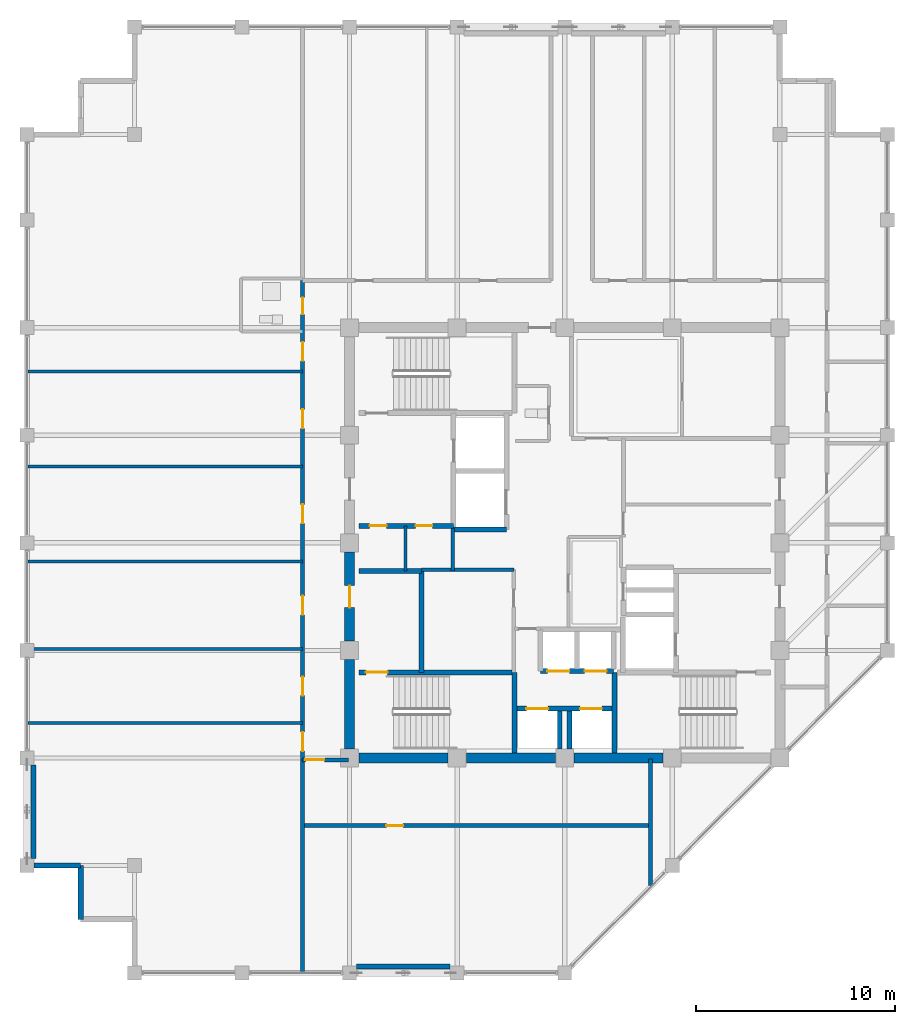
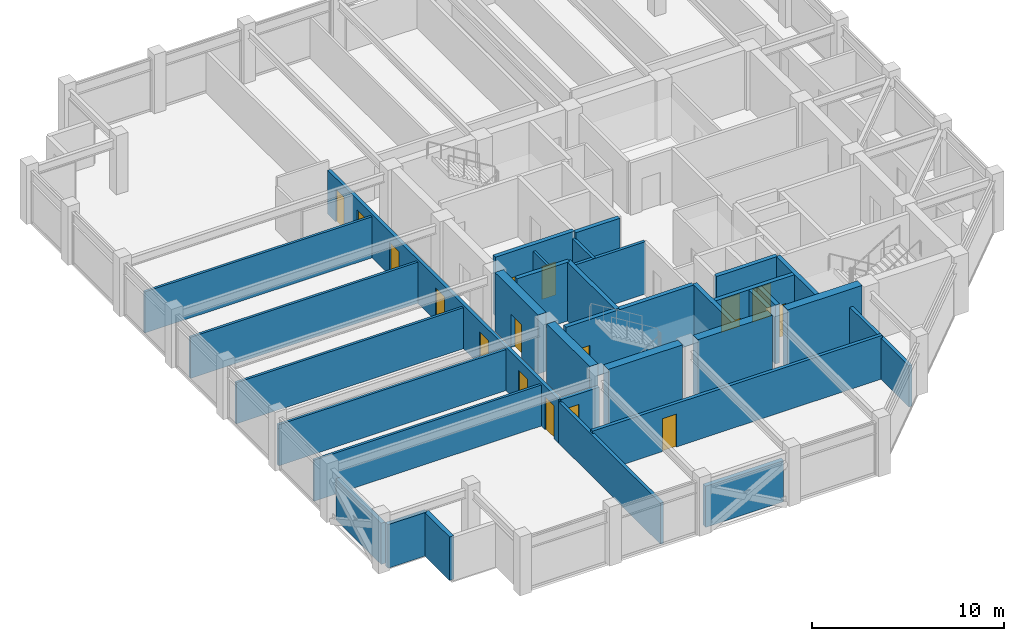
# One storey, part 26 of 31: 33 walls, 17 doors, 17 openings.
"""IFC4 building model written with IfcOpenShell, lengths in metres."""

from ifc_helpers import new_model, si_unit, direction, frame, frame_2d, origin, place, context, subcontext, project, spatial, rectangle, extrude, material, layer, layer_set, type_object, element, fill, save


model = new_model("IFC4")

# Units and contexts
model_context = context("Model", 3, precision=1e-05, world=origin(), true_north=direction((0.0, 1.0)))
body_context = subcontext(model_context, "Body", "Model", "MODEL_VIEW")
ifc_project = project(units=[si_unit("LENGTHUNIT", "METRE"), si_unit("AREAUNIT", "SQUARE_METRE"), si_unit("VOLUMEUNIT", "CUBIC_METRE"), si_unit("PLANEANGLEUNIT", "RADIAN"), si_unit("MASSUNIT", "GRAM", prefix="KILO")], contexts=[model_context])

# Site, building, storey
site_placement = place(None, origin())
site = spatial("IfcSite", under=ifc_project, at=site_placement, CompositionType="ELEMENT")
building_placement = place(site_placement, origin())
building = spatial("IfcBuilding", under=site, at=building_placement, Name="Surkhivell Harbour Commons", CompositionType="ELEMENT")
storey_placement = place(building_placement, frame((0.0, 0.0, 333.75)))
storey = spatial("IfcBuildingStorey", under=building, at=storey_placement, Name="L87", CompositionType="ELEMENT", Elevation=333.75)

# Walls
ifc_material_1 = material(Name="Concrete C50/60", Category="concrete")
ifc_layer_1 = layer(ifc_material_1, 0.5)
ifc_layer_set_1 = layer_set([ifc_layer_1], Name="Concrete C50/60")
wall_type_1 = type_object("IfcWallType", Name="WAL-CORE-500", PredefinedType="SHEAR", material=ifc_layer_set_1)
for number, where, z_axis, x_axis, name in (
    (1, (-10.340087890625, -10.800048828125, 0.0), (0.0, 0.0, 1.0), (1.0, 0.0, 0.0), "L87 Core Shear Wall South 1"),
    (2, (-10.800048828125, -10.340087890625, 0.0), (0.0, 0.0, 1.0), (0.0, 1.0, 0.0), "L87 Core Shear Wall West 1"),
    (3, (-4.93994140625, -10.800048828125, 0.0), (0.0, 0.0, 1.0), (1.0, 0.0, 0.0), "L87 Core Shear Wall South 2"),
):
    element("IfcWall", number, at=place(storey_placement, frame(where, z_axis=z_axis, x_axis=x_axis)), inside=storey, type_object=wall_type_1, Name=name, PredefinedType="SHEAR", context=body_context, shape_type="SweptSolid", body=[
        extrude(rectangle(XDim=4.47998046875, YDim=0.5, at=frame_2d((2.239990234375, 0.0))), origin(), (0.0, 0.0, 1.0), 3.75),
    ])

# Wall, opening, door
wall_1_placement = place(storey_placement, frame((-10.800048828125, -4.93994140625, 0.0), z_axis=(0.0, 0.0, 1.0), x_axis=(0.0, 1.0, 0.0)))
wall_1 = element("IfcWall", 4, at=wall_1_placement, inside=storey, type_object=wall_type_1, Name="L87 Core Shear Wall West 2", PredefinedType="SHEAR", context=body_context, shape_type="SweptSolid", body=[
    extrude(rectangle(XDim=4.47998046875, YDim=0.5, at=frame_2d((2.239990234375, 0.0))), origin(), (0.0, 0.0, 1.0), 3.75),
])
opening_1_placement = place(wall_1_placement, frame((1.68994140625, 0.0, 0.0)))
opening_1 = element("IfcOpeningElement", 5, at=opening_1_placement, cuts=wall_1, Name="Opening ID-2", PredefinedType="OPENING", context=body_context, shape_type="SweptSolid", body=[
    extrude(rectangle(XDim=1.10009765625, YDim=2.10009765625, at=frame_2d((0.550048828125, 1.050048828125))), frame((0.0, 0.260009765625, 0.0), z_axis=(0.0, -1.0, 0.0), x_axis=(1.0, 0.0, 0.0)), (0.0, 0.0, 1.0), 0.52001953125),
])
ifc_material_2 = material(Name="Hardwood-veneered fire-rated door leaf", Category="wood")
door_type_1 = type_object("IfcDoorType", Name="DOR-FD60-1100", OperationType="NOTDEFINED", PredefinedType="DOOR", material=ifc_material_2)
door_1_placement = place(opening_1_placement, origin())
door_1 = element("IfcDoor", 6, at=door_1_placement, inside=storey, type_object=door_type_1, Name="L87 Stair 3 Lobby Corridor Door", OperationType="SINGLE_SWING_LEFT", OverallHeight=2.10009765625, OverallWidth=1.10009765625, PredefinedType="DOOR", context=body_context, shape_type="SweptSolid", body=[
    extrude(rectangle(XDim=1.10009765625, YDim=2.10009765625, at=frame_2d((0.550048828125, 1.050048828125))), frame((0.0, 0.02490234375, 0.0), z_axis=(0.0, -1.0, 0.0), x_axis=(1.0, 0.0, 0.0)), (0.0, 0.0, 1.0), 0.050048828125),
])
fill(opening_1, door_1)

# Walls
wall_2_placement = place(storey_placement, frame((0.4599609375, -10.800048828125, 0.0), z_axis=(0.0, 0.0, 1.0), x_axis=(1.0, 0.0, 0.0)))
element("IfcWall", 7, at=wall_2_placement, inside=storey, type_object=wall_type_1, Name="L87 Core Shear Wall South 3", PredefinedType="SHEAR", context=body_context, shape_type="SweptSolid", body=[
    extrude(rectangle(XDim=4.47998046875, YDim=0.5, at=frame_2d((2.239990234375, 0.0))), origin(), (0.0, 0.0, 1.0), 3.75),
])
ifc_material_3 = material(Name="Pale-metal insulated precast concrete C45/55", Category="concrete")
ifc_layer_2 = layer(ifc_material_3, 0.260009765625)
ifc_layer_set_2 = layer_set([ifc_layer_2], Name="Pale-metal insulated precast concrete C45/55")
wall_type_2 = type_object("IfcWallType", Name="WAL-EXT-MTL260", PredefinedType="STANDARD", material=ifc_layer_set_2)
wall_3_placement = place(storey_placement, frame((-10.451904296875, -21.264892578125, 0.0), z_axis=(0.0, 0.0, 1.0), x_axis=(1.0, 0.0, 0.0)))
element("IfcWall", 8, at=wall_3_placement, inside=storey, type_object=wall_type_2, Name="L87 Braced-Bay Insulated Spandrel Backing S", PredefinedType="STANDARD", context=body_context, shape_type="SweptSolid", body=[
    extrude(rectangle(XDim=4.703857421875, YDim=0.260009765625, at=frame_2d((2.35205078125, 0.0))), origin(), (0.0, 0.0, 1.0), 2.616943359375),
])
wall_4_placement = place(storey_placement, frame((-26.6650390625, -11.14794921875, 0.0), z_axis=(0.0, 0.0, 1.0), x_axis=(0.0, -1.0, 0.0)))
element("IfcWall", 9, at=wall_4_placement, inside=storey, type_object=wall_type_2, Name="L87 Braced-Bay Insulated Spandrel Backing W", PredefinedType="STANDARD", context=body_context, shape_type="SweptSolid", body=[
    extrude(rectangle(XDim=4.7041015625, YDim=0.260009765625, at=frame_2d((2.35205078125, 0.0))), origin(), (0.0, 0.0, 1.0), 2.616943359375),
])
wall_5_placement = place(storey_placement, frame((-26.652099609375, -16.199951171875, 0.0), z_axis=(0.0, 0.0, 1.0), x_axis=(1.0, 0.0, 0.0)))
element("IfcWall", 10, at=wall_5_placement, inside=storey, type_object=wall_type_2, Name="L87 Serrated Corner Facade Wall 13", PredefinedType="STANDARD", context=body_context, shape_type="SweptSolid", body=[
    extrude(rectangle(XDim=2.35205078125, YDim=0.260009765625, at=frame_2d((1.176025390625, 0.0))), origin(), (0.0, 0.0, 1.0), 2.77294921875),
])
wall_6_placement = place(storey_placement, frame((-24.300048828125, -16.199951171875, 0.0), z_axis=(0.0, 0.0, 1.0), x_axis=(0.0, -1.0, 0.0)))
element("IfcWall", 11, at=wall_6_placement, inside=storey, type_object=wall_type_2, Name="L87 Serrated Corner Facade Wall 14", PredefinedType="STANDARD", context=body_context, shape_type="SweptSolid", body=[
    extrude(rectangle(XDim=2.699951171875, YDim=0.260009765625, at=frame_2d((1.35009765625, 0.0))), origin(), (0.0, 0.0, 1.0), 2.77294921875),
])
ifc_material_4 = material(Name="Twin-stud acoustic fireboard partition", Category="other")
ifc_layer_3 = layer(ifc_material_4, 0.14990234375)
ifc_layer_set_3 = layer_set([ifc_layer_3], Name="Twin-stud acoustic fireboard partition")
wall_type_3 = type_object("IfcWallType", Name="WAL-INT-150", PredefinedType="PARTITIONING", material=ifc_layer_set_3)
wall_7_placement = place(storey_placement, frame((-8.0, -1.419921875, 0.0), z_axis=(0.0, 0.0, 1.0), x_axis=(0.0, 1.0, 0.0)))
element("IfcWall", 12, at=wall_7_placement, inside=storey, type_object=wall_type_3, Name="L87 West Core Cut D1", PredefinedType="PARTITIONING", context=body_context, shape_type="SweptSolid", body=[
    extrude(rectangle(XDim=2.27001953125, YDim=0.14990234375, at=frame_2d((1.135009765625, 0.0))), origin(), (0.0, 0.0, 1.0), 3.330078125),
])
for number, where, z_axis, x_axis, name in (
    (13, (-26.93994140625, -5.340087890625, 0.0), (0.0, 0.0, 1.0), (1.0, 0.0, 0.0), "L87 West Partition BDP1"),
    (14, (-26.93994140625, -0.929931640625, 0.0), (0.0, 0.0, 1.0), (1.0, 0.0, 0.0), "L87 West Partition BDP2"),
    (15, (-26.93994140625, 3.840087890625, 0.0), (0.0, 0.0, 1.0), (1.0, 0.0, 0.0), "L87 West Partition BDP3"),
    (16, (-26.93994140625, -9.050048828125, 0.0), (0.0, 0.0, 1.0), (1.0, 0.0, 0.0), "L87 West Partition PBOT"),
    (17, (-26.93994140625, 8.610107421875, 0.0), (0.0, 0.0, 1.0), (1.0, 0.0, 0.0), "L87 West Partition PTOP"),
):
    element("IfcWall", number, at=place(storey_placement, frame(where, z_axis=z_axis, x_axis=x_axis)), inside=storey, type_object=wall_type_3, Name=name, PredefinedType="PARTITIONING", context=body_context, shape_type="SweptSolid", body=[
        extrude(rectangle(XDim=13.780029296875, YDim=0.14990234375, at=frame_2d((6.89013671875, 0.0))), origin(), (0.0, 0.0, 1.0), 2.616943359375),
    ])
ifc_material_5 = material(Name="High-density acoustic blockwork fire partition", Category="masonry")
ifc_layer_4 = layer(ifc_material_5, 0.175048828125)
ifc_layer_set_4 = layer_set([ifc_layer_4], Name="High-density acoustic blockwork fire partition")
wall_type_4 = type_object("IfcWallType", Name="WAL-INT-175", PredefinedType="PARTITIONING", material=ifc_layer_set_4)
wall_8_placement = place(storey_placement, frame((-7.179931640625, -1.35009765625, 0.0), z_axis=(0.0, 0.0, 1.0), x_axis=(1.0, 0.0, 0.0)))
element("IfcWall", 18, at=wall_8_placement, inside=storey, type_object=wall_type_4, Name="L87 Core Service Bay North Wall", PredefinedType="PARTITIONING", context=body_context, shape_type="SweptSolid", body=[
    extrude(rectangle(XDim=4.6298828125, YDim=0.175048828125, at=frame_2d((2.31494140625, 0.0))), origin(), (0.0, 0.0, 1.0), 3.330078125),
])
wall_9_placement = place(storey_placement, frame((-5.6201171875, -1.419921875, 0.0), z_axis=(0.0, 0.0, 1.0), x_axis=(0.0, 1.0, 0.0)))
element("IfcWall", 19, at=wall_9_placement, inside=storey, type_object=wall_type_4, Name="L87 West Core Bay East Wall", PredefinedType="PARTITIONING", context=body_context, shape_type="SweptSolid", body=[
    extrude(rectangle(XDim=2.139892578125, YDim=0.175048828125, at=frame_2d((1.06982421875, 0.0))), origin(), (0.0, 0.0, 1.0), 3.330078125),
])
ifc_material_6 = material(Name="Autoclaved aerated concrete blockwork and fire plaster", Category="masonry")
ifc_layer_5 = layer(ifc_material_6, 0.199951171875)
ifc_layer_set_5 = layer_set([ifc_layer_5], Name="Autoclaved aerated concrete blockwork and fire plaster")
wall_type_5 = type_object("IfcWallType", Name="WAL-INT-200", PredefinedType="PARTITIONING", material=ifc_layer_set_5)
wall_10_placement = place(storey_placement, frame((4.300048828125, -17.215087890625, 0.0), z_axis=(0.0, 0.0, 1.0), x_axis=(0.0, 1.0, 0.0)))
element("IfcWall", 20, at=wall_10_placement, inside=storey, type_object=wall_type_5, Name="L87 South Hall East Wall", PredefinedType="PARTITIONING", context=body_context, shape_type="SweptSolid", body=[
    extrude(rectangle(XDim=6.364990234375, YDim=0.199951171875, at=frame_2d((3.1826171875, 0.0))), origin(), (0.0, 0.0, 1.0), 2.616943359375),
])

# Wall, opening, door
wall_11_placement = place(storey_placement, frame((-13.159912109375, -14.199951171875, 0.0), z_axis=(0.0, 0.0, 1.0), x_axis=(1.0, 0.0, 0.0)))
wall_11 = element("IfcWall", 21, at=wall_11_placement, inside=storey, type_object=wall_type_5, Name="L87 South Wing Horizontal Partition", PredefinedType="PARTITIONING", context=body_context, shape_type="SweptSolid", body=[
    extrude(rectangle(XDim=17.4599609375, YDim=0.199951171875, at=frame_2d((8.72998046875, 0.0))), origin(), (0.0, 0.0, 1.0), 2.77294921875),
])
opening_2_placement = place(wall_11_placement, frame((4.199951171875, 0.0, 0.0)))
opening_2 = element("IfcOpeningElement", 22, at=opening_2_placement, cuts=wall_11, Name="Opening ID-6", PredefinedType="OPENING", context=body_context, shape_type="SweptSolid", body=[
    extrude(rectangle(XDim=0.85009765625, YDim=2.10009765625, at=frame_2d((0.425048828125, 1.050048828125))), frame((0.0, 0.10986328125, 0.0), z_axis=(0.0, -1.0, 0.0), x_axis=(1.0, 0.0, 0.0)), (0.0, 0.0, 1.0), 0.219970703125),
])
door_type_2 = type_object("IfcDoorType", Name="DOR-FD30-850", OperationType="NOTDEFINED", PredefinedType="DOOR", material=ifc_material_2)
door_2_placement = place(opening_2_placement, origin())
door_2 = element("IfcDoor", 23, at=door_2_placement, inside=storey, type_object=door_type_2, Name="L87 South Music Door", OperationType="SINGLE_SWING_LEFT", OverallHeight=2.10009765625, OverallWidth=0.85009765625, PredefinedType="DOOR", context=body_context, shape_type="SweptSolid", body=[
    extrude(rectangle(XDim=0.85009765625, YDim=2.10009765625, at=frame_2d((0.425048828125, 1.050048828125))), frame((0.0, 0.02490234375, 0.0), z_axis=(0.0, -1.0, 0.0), x_axis=(1.0, 0.0, 0.0)), (0.0, 0.0, 1.0), 0.050048828125),
])
fill(opening_2, door_2)

# Wall
wall_12_placement = place(storey_placement, frame((-13.159912109375, -21.5400390625, 0.0), z_axis=(0.0, 0.0, 1.0), x_axis=(0.0, 1.0, 0.0)))
element("IfcWall", 24, at=wall_12_placement, inside=storey, type_object=wall_type_5, Name="L87 South Hall West Divider", PredefinedType="PARTITIONING", context=body_context, shape_type="SweptSolid", body=[
    extrude(rectangle(XDim=10.64013671875, YDim=0.199951171875, at=frame_2d((5.320068359375, 0.0))), origin(), (0.0, 0.0, 1.0), 2.616943359375),
])

# Wall, openings, doors
wall_13_placement = place(storey_placement, frame((-13.159912109375, -10.89990234375, 0.0), z_axis=(0.0, 0.0, 1.0), x_axis=(0.0, 1.0, 0.0)))
wall_13 = element("IfcWall", 25, at=wall_13_placement, inside=storey, type_object=wall_type_5, Name="L87 West Corridor Wall", PredefinedType="PARTITIONING", context=body_context, shape_type="SweptSolid", body=[
    extrude(rectangle(XDim=24.059814453125, YDim=0.199951171875, at=frame_2d((12.02978515625, 0.0))), origin(), (0.0, 0.0, 1.0), 2.77294921875),
])
opening_3_placement = place(wall_13_placement, frame((0.445068359375, 0.0, 0.0)))
opening_3 = element("IfcOpeningElement", 26, at=opening_3_placement, cuts=wall_13, Name="Opening ID-4", PredefinedType="OPENING", context=body_context, shape_type="SweptSolid", body=[
    extrude(rectangle(XDim=0.949951171875, YDim=2.10009765625, at=frame_2d((0.47509765625, 1.050048828125))), frame((0.0, 0.10986328125, 0.0), z_axis=(0.0, -1.0, 0.0), x_axis=(1.0, 0.0, 0.0)), (0.0, 0.0, 1.0), 0.219970703125),
])
opening_4_placement = place(wall_13_placement, frame((22.364990234375, 0.0, 0.0)))
opening_4 = element("IfcOpeningElement", 27, at=opening_4_placement, cuts=wall_13, Name="Opening ID-6", PredefinedType="OPENING", context=body_context, shape_type="SweptSolid", body=[
    extrude(rectangle(XDim=0.85009765625, YDim=2.10009765625, at=frame_2d((0.425048828125, 1.050048828125))), frame((0.0, 0.10986328125, 0.0), z_axis=(0.0, -1.0, 0.0), x_axis=(1.0, 0.0, 0.0)), (0.0, 0.0, 1.0), 0.219970703125),
])
opening_5_placement = place(wall_13_placement, frame((20.030029296875, 0.0, 0.0)))
opening_5 = element("IfcOpeningElement", 28, at=opening_5_placement, cuts=wall_13, Name="Opening ID-4", PredefinedType="OPENING", context=body_context, shape_type="SweptSolid", body=[
    extrude(rectangle(XDim=0.949951171875, YDim=2.10009765625, at=frame_2d((0.47509765625, 1.050048828125))), frame((0.0, 0.10986328125, 0.0), z_axis=(0.0, -1.0, 0.0), x_axis=(1.0, 0.0, 0.0)), (0.0, 0.0, 1.0), 0.219970703125),
])
opening_6_placement = place(wall_13_placement, frame((3.22509765625, 0.0, 0.0)))
opening_6 = element("IfcOpeningElement", 29, at=opening_6_placement, cuts=wall_13, Name="Opening ID-4", PredefinedType="OPENING", context=body_context, shape_type="SweptSolid", body=[
    extrude(rectangle(XDim=0.949951171875, YDim=2.10009765625, at=frame_2d((0.47509765625, 1.050048828125))), frame((0.0, 0.10986328125, 0.0), z_axis=(0.0, -1.0, 0.0), x_axis=(1.0, 0.0, 0.0)), (0.0, 0.0, 1.0), 0.219970703125),
])
opening_7_placement = place(wall_13_placement, frame((7.284912109375, 0.0, 0.0)))
opening_7 = element("IfcOpeningElement", 30, at=opening_7_placement, cuts=wall_13, Name="Opening ID-4", PredefinedType="OPENING", context=body_context, shape_type="SweptSolid", body=[
    extrude(rectangle(XDim=0.949951171875, YDim=2.10009765625, at=frame_2d((0.47509765625, 1.050048828125))), frame((0.0, 0.10986328125, 0.0), z_axis=(0.0, -1.0, 0.0), x_axis=(1.0, 0.0, 0.0)), (0.0, 0.0, 1.0), 0.219970703125),
])
opening_8_placement = place(wall_13_placement, frame((11.875, 0.0, 0.0)))
opening_8 = element("IfcOpeningElement", 31, at=opening_8_placement, cuts=wall_13, Name="Opening ID-4", PredefinedType="OPENING", context=body_context, shape_type="SweptSolid", body=[
    extrude(rectangle(XDim=0.949951171875, YDim=2.10009765625, at=frame_2d((0.47509765625, 1.050048828125))), frame((0.0, 0.10986328125, 0.0), z_axis=(0.0, -1.0, 0.0), x_axis=(1.0, 0.0, 0.0)), (0.0, 0.0, 1.0), 0.219970703125),
])
opening_9_placement = place(wall_13_placement, frame((16.64501953125, 0.0, 0.0)))
opening_9 = element("IfcOpeningElement", 32, at=opening_9_placement, cuts=wall_13, Name="Opening ID-4", PredefinedType="OPENING", context=body_context, shape_type="SweptSolid", body=[
    extrude(rectangle(XDim=0.949951171875, YDim=2.10009765625, at=frame_2d((0.47509765625, 1.050048828125))), frame((0.0, 0.10986328125, 0.0), z_axis=(0.0, -1.0, 0.0), x_axis=(1.0, 0.0, 0.0)), (0.0, 0.0, 1.0), 0.219970703125),
])
door_3_placement = place(opening_4_placement, origin())
door_3 = element("IfcDoor", 33, at=door_3_placement, inside=storey, type_object=door_type_2, Name="L87 Communal Shower Bathroom West Door", OperationType="SINGLE_SWING_RIGHT", OverallHeight=2.10009765625, OverallWidth=0.85009765625, PredefinedType="DOOR", context=body_context, shape_type="SweptSolid", body=[
    extrude(rectangle(XDim=0.85009765625, YDim=2.10009765625, at=frame_2d((0.425048828125, 1.050048828125))), frame((0.0, 0.02490234375, 0.0), z_axis=(0.0, -1.0, 0.0), x_axis=(1.0, 0.0, 0.0)), (0.0, 0.0, 1.0), 0.050048828125),
])
fill(opening_4, door_3)
door_type_3 = type_object("IfcDoorType", Name="DOR-FD60-950", OperationType="NOTDEFINED", PredefinedType="DOOR", material=ifc_material_2)
door_4_placement = place(opening_3_placement, origin())
door_4 = element("IfcDoor", 34, at=door_4_placement, inside=storey, type_object=door_type_3, Name="L87 Shared Communal Kitchen West Door", OperationType="SINGLE_SWING_LEFT", OverallHeight=2.10009765625, OverallWidth=0.949951171875, PredefinedType="DOOR", context=body_context, shape_type="SweptSolid", body=[
    extrude(rectangle(XDim=0.949951171875, YDim=2.10009765625, at=frame_2d((0.47509765625, 1.050048828125))), frame((0.0, 0.02490234375, 0.0), z_axis=(0.0, -1.0, 0.0), x_axis=(1.0, 0.0, 0.0)), (0.0, 0.0, 1.0), 0.050048828125),
])
fill(opening_3, door_4)
door_5_placement = place(opening_5_placement, origin())
door_5 = element("IfcDoor", 35, at=door_5_placement, inside=storey, type_object=door_type_3, Name="L87 Academic Reading Commons West Door", OperationType="SINGLE_SWING_LEFT", OverallHeight=2.10009765625, OverallWidth=0.949951171875, PredefinedType="DOOR", context=body_context, shape_type="SweptSolid", body=[
    extrude(rectangle(XDim=0.949951171875, YDim=2.10009765625, at=frame_2d((0.47509765625, 1.050048828125))), frame((0.0, 0.02490234375, 0.0), z_axis=(0.0, -1.0, 0.0), x_axis=(1.0, 0.0, 0.0)), (0.0, 0.0, 1.0), 0.050048828125),
])
fill(opening_5, door_5)
door_6_placement = place(opening_6_placement, origin())
door_6 = element("IfcDoor", 36, at=door_6_placement, inside=storey, type_object=door_type_3, Name="L87 Hostel Cluster Bedroom 1 West Door", OperationType="SINGLE_SWING_RIGHT", OverallHeight=2.10009765625, OverallWidth=0.949951171875, PredefinedType="DOOR", context=body_context, shape_type="SweptSolid", body=[
    extrude(rectangle(XDim=0.949951171875, YDim=2.10009765625, at=frame_2d((0.47509765625, 1.050048828125))), frame((0.0, 0.02490234375, 0.0), z_axis=(0.0, -1.0, 0.0), x_axis=(1.0, 0.0, 0.0)), (0.0, 0.0, 1.0), 0.050048828125),
])
fill(opening_6, door_6)
door_7_placement = place(opening_7_placement, origin())
door_7 = element("IfcDoor", 37, at=door_7_placement, inside=storey, type_object=door_type_3, Name="L87 Co-Living Dormitory Bedroom 2 West Door", OperationType="SINGLE_SWING_LEFT", OverallHeight=2.10009765625, OverallWidth=0.949951171875, PredefinedType="DOOR", context=body_context, shape_type="SweptSolid", body=[
    extrude(rectangle(XDim=0.949951171875, YDim=2.10009765625, at=frame_2d((0.47509765625, 1.050048828125))), frame((0.0, 0.02490234375, 0.0), z_axis=(0.0, -1.0, 0.0), x_axis=(1.0, 0.0, 0.0)), (0.0, 0.0, 1.0), 0.050048828125),
])
fill(opening_7, door_7)
door_8_placement = place(opening_8_placement, origin())
door_8 = element("IfcDoor", 38, at=door_8_placement, inside=storey, type_object=door_type_3, Name="L87 Hostel Cluster Bedroom 3 West Door", OperationType="SINGLE_SWING_RIGHT", OverallHeight=2.10009765625, OverallWidth=0.949951171875, PredefinedType="DOOR", context=body_context, shape_type="SweptSolid", body=[
    extrude(rectangle(XDim=0.949951171875, YDim=2.10009765625, at=frame_2d((0.47509765625, 1.050048828125))), frame((0.0, 0.02490234375, 0.0), z_axis=(0.0, -1.0, 0.0), x_axis=(1.0, 0.0, 0.0)), (0.0, 0.0, 1.0), 0.050048828125),
])
fill(opening_8, door_8)
door_9_placement = place(opening_9_placement, origin())
door_9 = element("IfcDoor", 39, at=door_9_placement, inside=storey, type_object=door_type_3, Name="L87 Co-Living Dormitory Bedroom 4 West Door", OperationType="SINGLE_SWING_LEFT", OverallHeight=2.10009765625, OverallWidth=0.949951171875, PredefinedType="DOOR", context=body_context, shape_type="SweptSolid", body=[
    extrude(rectangle(XDim=0.949951171875, YDim=2.10009765625, at=frame_2d((0.47509765625, 1.050048828125))), frame((0.0, 0.02490234375, 0.0), z_axis=(0.0, -1.0, 0.0), x_axis=(1.0, 0.0, 0.0)), (0.0, 0.0, 1.0), 0.050048828125),
])
fill(opening_9, door_9)

# Wall, opening, door
wall_14_placement = place(storey_placement, frame((-13.159912109375, -10.89990234375, 0.0), z_axis=(0.0, 0.0, 1.0), x_axis=(1.0, 0.0, 0.0)))
wall_14 = element("IfcWall", 40, at=wall_14_placement, inside=storey, type_object=wall_type_5, Name="L87 West Corridor South Portal Wall", PredefinedType="PARTITIONING", context=body_context, shape_type="SweptSolid", body=[
    extrude(rectangle(XDim=2.309814453125, YDim=0.199951171875, at=frame_2d((1.15478515625, 0.0))), origin(), (0.0, 0.0, 1.0), 2.77294921875),
])
opening_10_placement = place(wall_14_placement, frame((0.139892578125, 0.0, 0.0)))
opening_10 = element("IfcOpeningElement", 41, at=opening_10_placement, cuts=wall_14, Name="Opening ID-4", PredefinedType="OPENING", context=body_context, shape_type="SweptSolid", body=[
    extrude(rectangle(XDim=0.949951171875, YDim=2.10009765625, at=frame_2d((0.47509765625, 1.050048828125))), frame((0.0, 0.10986328125, 0.0), z_axis=(0.0, -1.0, 0.0), x_axis=(1.0, 0.0, 0.0)), (0.0, 0.0, 1.0), 0.219970703125),
])
door_10_placement = place(opening_10_placement, origin())
door_10 = element("IfcDoor", 42, at=door_10_placement, inside=storey, type_object=door_type_3, Name="L87 South Dining Door", OperationType="SINGLE_SWING_RIGHT", OverallHeight=2.10009765625, OverallWidth=0.949951171875, PredefinedType="DOOR", context=body_context, shape_type="SweptSolid", body=[
    extrude(rectangle(XDim=0.949951171875, YDim=2.10009765625, at=frame_2d((0.47509765625, 1.050048828125))), frame((0.0, 0.02490234375, 0.0), z_axis=(0.0, -1.0, 0.0), x_axis=(1.0, 0.0, 0.0)), (0.0, 0.0, 1.0), 0.050048828125),
])
fill(opening_10, door_10)

# Wall, openings, doors
ifc_layer_6 = layer(ifc_material_1, 0.25)
ifc_layer_set_6 = layer_set([ifc_layer_6], Name="Concrete C50/60")
wall_type_6 = type_object("IfcWallType", Name="WAL-SHAFT-250", PredefinedType="SHEAR", material=ifc_layer_set_6)
wall_15_placement = place(storey_placement, frame((-10.340087890625, 0.85009765625, 0.0), z_axis=(0.0, 0.0, 1.0), x_axis=(1.0, 0.0, 0.0)))
wall_15 = element("IfcWall", 43, at=wall_15_placement, inside=storey, type_object=wall_type_6, Name="L87 Firefighting Lobby 1 South Wall", PredefinedType="SHEAR", context=body_context, shape_type="SweptSolid", body=[
    extrude(rectangle(XDim=4.760009765625, YDim=0.25, at=frame_2d((2.3798828125, 0.0))), origin(), (0.0, 0.0, 1.0), 3.75),
])
opening_11_placement = place(wall_15_placement, frame((0.550048828125, 0.0, 0.0)))
opening_11 = element("IfcOpeningElement", 44, at=opening_11_placement, cuts=wall_15, Name="Opening ID-6", PredefinedType="OPENING", context=body_context, shape_type="SweptSolid", body=[
    extrude(rectangle(XDim=0.85009765625, YDim=2.10009765625, at=frame_2d((0.425048828125, 1.050048828125))), frame((0.0, 0.135009765625, 0.0), z_axis=(0.0, -1.0, 0.0), x_axis=(1.0, 0.0, 0.0)), (0.0, 0.0, 1.0), 0.27001953125),
])
opening_12_placement = place(wall_15_placement, frame((2.85009765625, 0.0, 0.0)))
opening_12 = element("IfcOpeningElement", 45, at=opening_12_placement, cuts=wall_15, Name="Opening ID-6", PredefinedType="OPENING", context=body_context, shape_type="SweptSolid", body=[
    extrude(rectangle(XDim=0.85009765625, YDim=2.10009765625, at=frame_2d((0.425048828125, 1.050048828125))), frame((0.0, 0.135009765625, 0.0), z_axis=(0.0, -1.0, 0.0), x_axis=(1.0, 0.0, 0.0)), (0.0, 0.0, 1.0), 0.27001953125),
])
door_11_placement = place(opening_11_placement, origin())
door_11 = element("IfcDoor", 46, at=door_11_placement, inside=storey, type_object=door_type_2, Name="L87 West Seminar Pod Door", OperationType="SINGLE_SWING_LEFT", OverallHeight=2.10009765625, OverallWidth=0.85009765625, PredefinedType="DOOR", context=body_context, shape_type="SweptSolid", body=[
    extrude(rectangle(XDim=0.85009765625, YDim=2.10009765625, at=frame_2d((0.425048828125, 1.050048828125))), frame((0.0, 0.02490234375, 0.0), z_axis=(0.0, -1.0, 0.0), x_axis=(1.0, 0.0, 0.0)), (0.0, 0.0, 1.0), 0.050048828125),
])
fill(opening_11, door_11)
door_12_placement = place(opening_12_placement, origin())
door_12 = element("IfcDoor", 47, at=door_12_placement, inside=storey, type_object=door_type_2, Name="L87 West Reading Pod Door", OperationType="SINGLE_SWING_RIGHT", OverallHeight=2.10009765625, OverallWidth=0.85009765625, PredefinedType="DOOR", context=body_context, shape_type="SweptSolid", body=[
    extrude(rectangle(XDim=0.85009765625, YDim=2.10009765625, at=frame_2d((0.425048828125, 1.050048828125))), frame((0.0, 0.02490234375, 0.0), z_axis=(0.0, -1.0, 0.0), x_axis=(1.0, 0.0, 0.0)), (0.0, 0.0, 1.0), 0.050048828125),
])
fill(opening_12, door_12)

# Walls
for number, where, z_axis, x_axis, name in (
    (48, (-0.25, -10.35009765625, 0.0), (0.0, 0.0, 1.0), (0.0, 1.0, 0.0), "L87 High-Rise Side Wall S"),
    (49, (0.25, -10.35009765625, 0.0), (0.0, 0.0, 1.0), (0.0, 1.0, 0.0), "L87 High-Rise Side Wall S"),
):
    element("IfcWall", number, at=place(storey_placement, frame(where, z_axis=z_axis, x_axis=x_axis)), inside=storey, type_object=wall_type_6, Name=name, PredefinedType="SHEAR", context=body_context, shape_type="SweptSolid", body=[
        extrude(rectangle(XDim=1.91015625, YDim=0.25, at=frame_2d((0.955078125, 0.0))), origin(), (0.0, 0.0, 1.0), 3.75),
    ])

# Wall, openings, doors
wall_16_placement = place(storey_placement, frame((-1.219970703125, -6.43994140625, 0.0), z_axis=(0.0, 0.0, 1.0), x_axis=(1.0, 0.0, 0.0)))
wall_16 = element("IfcWall", 50, at=wall_16_placement, inside=storey, type_object=wall_type_6, Name="L87 High-Rise North Front Shaft Wall", PredefinedType="SHEAR", context=body_context, shape_type="SweptSolid", body=[
    extrude(rectangle(XDim=3.669921875, YDim=0.25, at=frame_2d((1.8349609375, 0.0))), origin(), (0.0, 0.0, 1.0), 3.75),
])
opening_13_placement = place(wall_16_placement, frame((0.35009765625, 0.0, 0.0)))
opening_13 = element("IfcOpeningElement", 51, at=opening_13_placement, cuts=wall_16, Name="Opening LD-1", PredefinedType="OPENING", context=body_context, shape_type="SweptSolid", body=[
    extrude(rectangle(XDim=1.10009765625, YDim=2.10009765625, at=frame_2d((0.550048828125, 1.050048828125))), frame((0.0, 0.135009765625, 0.0), z_axis=(0.0, -1.0, 0.0), x_axis=(1.0, 0.0, 0.0)), (0.0, 0.0, 1.0), 0.27001953125),
])
opening_14_placement = place(wall_16_placement, frame((2.219970703125, 0.0, 0.0)))
opening_14 = element("IfcOpeningElement", 52, at=opening_14_placement, cuts=wall_16, Name="Opening LD-1", PredefinedType="OPENING", context=body_context, shape_type="SweptSolid", body=[
    extrude(rectangle(XDim=1.10009765625, YDim=2.10009765625, at=frame_2d((0.550048828125, 1.050048828125))), frame((0.0, 0.135009765625, 0.0), z_axis=(0.0, -1.0, 0.0), x_axis=(1.0, 0.0, 0.0)), (0.0, 0.0, 1.0), 0.27001953125),
])
ifc_material_7 = material(Name="Brushed stainless steel S355", Category="steel")
door_type_4 = type_object("IfcDoorType", Name="DOR-LD-1100", OperationType="SLIDING_TO_LEFT", PredefinedType="DOOR", material=ifc_material_7)
door_13_placement = place(opening_13_placement, origin())
door_13 = element("IfcDoor", 53, at=door_13_placement, inside=storey, type_object=door_type_4, Name="L87 Lift Landing Door LD-PH1", OperationType="SLIDING_TO_LEFT", OverallHeight=2.10009765625, OverallWidth=1.10009765625, PredefinedType="DOOR", context=body_context, shape_type="SweptSolid", body=[
    extrude(rectangle(XDim=1.10009765625, YDim=2.10009765625, at=frame_2d((0.550048828125, 1.050048828125))), frame((0.0, 0.02490234375, 0.0), z_axis=(0.0, -1.0, 0.0), x_axis=(1.0, 0.0, 0.0)), (0.0, 0.0, 1.0), 0.050048828125),
])
fill(opening_13, door_13)
door_14_placement = place(opening_14_placement, origin())
door_14 = element("IfcDoor", 54, at=door_14_placement, inside=storey, type_object=door_type_4, Name="L87 Lift Landing Door LD-PH2", OperationType="SLIDING_TO_LEFT", OverallHeight=2.10009765625, OverallWidth=1.10009765625, PredefinedType="DOOR", context=body_context, shape_type="SweptSolid", body=[
    extrude(rectangle(XDim=1.10009765625, YDim=2.10009765625, at=frame_2d((0.550048828125, 1.050048828125))), frame((0.0, 0.02490234375, 0.0), z_axis=(0.0, -1.0, 0.0), x_axis=(1.0, 0.0, 0.0)), (0.0, 0.0, 1.0), 0.050048828125),
])
fill(opening_14, door_14)

wall_17_placement = place(storey_placement, frame((-2.47998046875, -8.320068359375, 0.0), z_axis=(0.0, 0.0, 1.0), x_axis=(1.0, 0.0, 0.0)))
wall_17 = element("IfcWall", 55, at=wall_17_placement, inside=storey, type_object=wall_type_6, Name="L87 High-Rise South Front Shaft Wall", PredefinedType="SHEAR", context=body_context, shape_type="SweptSolid", body=[
    extrude(rectangle(XDim=4.929931640625, YDim=0.25, at=frame_2d((2.46484375, 0.0))), origin(), (0.0, 0.0, 1.0), 3.75),
])
opening_15_placement = place(wall_17_placement, frame((0.550048828125, 0.0, 0.0)))
opening_15 = element("IfcOpeningElement", 56, at=opening_15_placement, cuts=wall_17, Name="Opening LD-1", PredefinedType="OPENING", context=body_context, shape_type="SweptSolid", body=[
    extrude(rectangle(XDim=1.10009765625, YDim=2.10009765625, at=frame_2d((0.550048828125, 1.050048828125))), frame((0.0, 0.135009765625, 0.0), z_axis=(0.0, -1.0, 0.0), x_axis=(1.0, 0.0, 0.0)), (0.0, 0.0, 1.0), 0.27001953125),
])
opening_16_placement = place(wall_17_placement, frame((3.25, 0.0, 0.0)))
opening_16 = element("IfcOpeningElement", 57, at=opening_16_placement, cuts=wall_17, Name="Opening LD-1", PredefinedType="OPENING", context=body_context, shape_type="SweptSolid", body=[
    extrude(rectangle(XDim=1.10009765625, YDim=2.10009765625, at=frame_2d((0.550048828125, 1.050048828125))), frame((0.0, 0.135009765625, 0.0), z_axis=(0.0, -1.0, 0.0), x_axis=(1.0, 0.0, 0.0)), (0.0, 0.0, 1.0), 0.27001953125),
])
door_15_placement = place(opening_15_placement, origin())
door_15 = element("IfcDoor", 58, at=door_15_placement, inside=storey, type_object=door_type_4, Name="L87 Lift Landing Door LD-PH3", OperationType="SLIDING_TO_LEFT", OverallHeight=2.10009765625, OverallWidth=1.10009765625, PredefinedType="DOOR", context=body_context, shape_type="SweptSolid", body=[
    extrude(rectangle(XDim=1.10009765625, YDim=2.10009765625, at=frame_2d((0.550048828125, 1.050048828125))), frame((0.0, 0.02490234375, 0.0), z_axis=(0.0, -1.0, 0.0), x_axis=(1.0, 0.0, 0.0)), (0.0, 0.0, 1.0), 0.050048828125),
])
fill(opening_15, door_15)
door_16_placement = place(opening_16_placement, origin())
door_16 = element("IfcDoor", 59, at=door_16_placement, inside=storey, type_object=door_type_4, Name="L87 Lift Landing Door LD-PH4", OperationType="SLIDING_TO_LEFT", OverallHeight=2.10009765625, OverallWidth=1.10009765625, PredefinedType="DOOR", context=body_context, shape_type="SweptSolid", body=[
    extrude(rectangle(XDim=1.10009765625, YDim=2.10009765625, at=frame_2d((0.550048828125, 1.050048828125))), frame((0.0, 0.02490234375, 0.0), z_axis=(0.0, -1.0, 0.0), x_axis=(1.0, 0.0, 0.0)), (0.0, 0.0, 1.0), 0.050048828125),
])
fill(opening_16, door_16)

# Walls
for number, where, z_axis, x_axis, name in (
    (60, (2.510009765625, -10.550048828125, 0.0), (0.0, 0.0, 1.0), (0.0, 1.0, 0.0), "L87 Stair ST2 West Shear Wall"),
    (61, (-2.510009765625, -10.550048828125, 0.0), (0.0, 0.0, 1.0), (0.0, 1.0, 0.0), "L87 Stair ST3 East Shear Wall"),
):
    element("IfcWall", number, at=place(storey_placement, frame(where, z_axis=z_axis, x_axis=x_axis)), inside=storey, type_object=wall_type_6, Name=name, PredefinedType="SHEAR", context=body_context, shape_type="SweptSolid", body=[
        extrude(rectangle(XDim=4.0400390625, YDim=0.25, at=frame_2d((2.02001953125, 0.0))), origin(), (0.0, 0.0, 1.0), 3.75),
    ])
wall_18_placement = place(storey_placement, frame((-7.179931640625, -6.510009765625, 0.0), z_axis=(0.0, 0.0, 1.0), x_axis=(0.0, 1.0, 0.0)))
element("IfcWall", 62, at=wall_18_placement, inside=storey, type_object=wall_type_6, Name="L87 Stair 3 Lobby East Wall", PredefinedType="SHEAR", context=body_context, shape_type="SweptSolid", body=[
    extrude(rectangle(XDim=5.090087890625, YDim=0.25, at=frame_2d((2.544921875, 0.0))), origin(), (0.0, 0.0, 1.0), 3.75),
])
wall_19_placement = place(storey_placement, frame((-10.340087890625, -1.419921875, 0.0), z_axis=(0.0, 0.0, 1.0), x_axis=(1.0, 0.0, 0.0)))
element("IfcWall", 63, at=wall_19_placement, inside=storey, type_object=wall_type_6, Name="L87 Stair 3 Lobby North Wall", PredefinedType="SHEAR", context=body_context, shape_type="SweptSolid", body=[
    extrude(rectangle(XDim=3.16015625, YDim=0.25, at=frame_2d((1.580078125, 0.0))), origin(), (0.0, 0.0, 1.0), 3.75),
])

# Wall, opening, door
wall_20_placement = place(storey_placement, frame((-10.340087890625, -6.510009765625, 0.0), z_axis=(0.0, 0.0, 1.0), x_axis=(1.0, 0.0, 0.0)))
wall_20 = element("IfcWall", 64, at=wall_20_placement, inside=storey, type_object=wall_type_6, Name="L87 Stair ST3 North Shear Wall", PredefinedType="SHEAR", context=body_context, shape_type="SweptSolid", body=[
    extrude(rectangle(XDim=7.7001953125, YDim=0.25, at=frame_2d((3.85009765625, 0.0))), origin(), (0.0, 0.0, 1.0), 3.75),
])
opening_17_placement = place(wall_20_placement, frame((0.35009765625, 0.0, 0.0)))
opening_17 = element("IfcOpeningElement", 65, at=opening_17_placement, cuts=wall_20, Name="Opening ID-2", PredefinedType="OPENING", context=body_context, shape_type="SweptSolid", body=[
    extrude(rectangle(XDim=1.10009765625, YDim=2.10009765625, at=frame_2d((0.550048828125, 1.050048828125))), frame((0.0, 0.135009765625, 0.0), z_axis=(0.0, -1.0, 0.0), x_axis=(1.0, 0.0, 0.0)), (0.0, 0.0, 1.0), 0.27001953125),
])
door_17_placement = place(opening_17_placement, origin())
door_17 = element("IfcDoor", 66, at=door_17_placement, inside=storey, type_object=door_type_1, Name="L87 Stair ST3 Exit Door", OperationType="SINGLE_SWING_RIGHT", OverallHeight=2.10009765625, OverallWidth=1.10009765625, PredefinedType="DOOR", context=body_context, shape_type="SweptSolid", body=[
    extrude(rectangle(XDim=1.10009765625, YDim=2.10009765625, at=frame_2d((0.550048828125, 1.050048828125))), frame((0.0, 0.02490234375, 0.0), z_axis=(0.0, -1.0, 0.0), x_axis=(1.0, 0.0, 0.0)), (0.0, 0.0, 1.0), 0.050048828125),
])
fill(opening_17, door_17)

# Wall
wall_21_placement = place(storey_placement, frame((-5.580078125, 0.679931640625, 0.0), z_axis=(0.0, 0.0, 1.0), x_axis=(1.0, 0.0, 0.0)))
element("IfcWall", 67, at=wall_21_placement, inside=storey, type_object=wall_type_6, Name="L87 SVL1 South Shaft Wall", PredefinedType="SHEAR", context=body_context, shape_type="SweptSolid", body=[
    extrude(rectangle(XDim=2.650146484375, YDim=0.25, at=frame_2d((1.3251953125, 0.0))), origin(), (0.0, 0.0, 1.0), 3.75),
])

save(model, "model.ifc")
